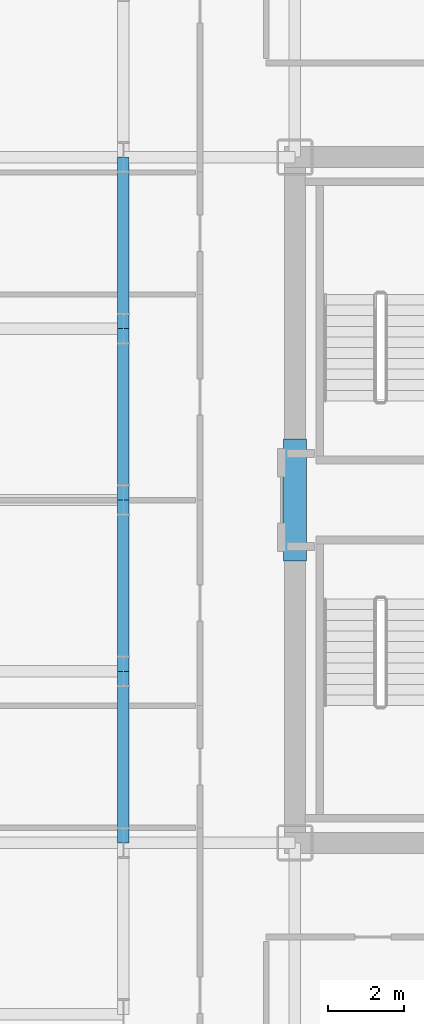
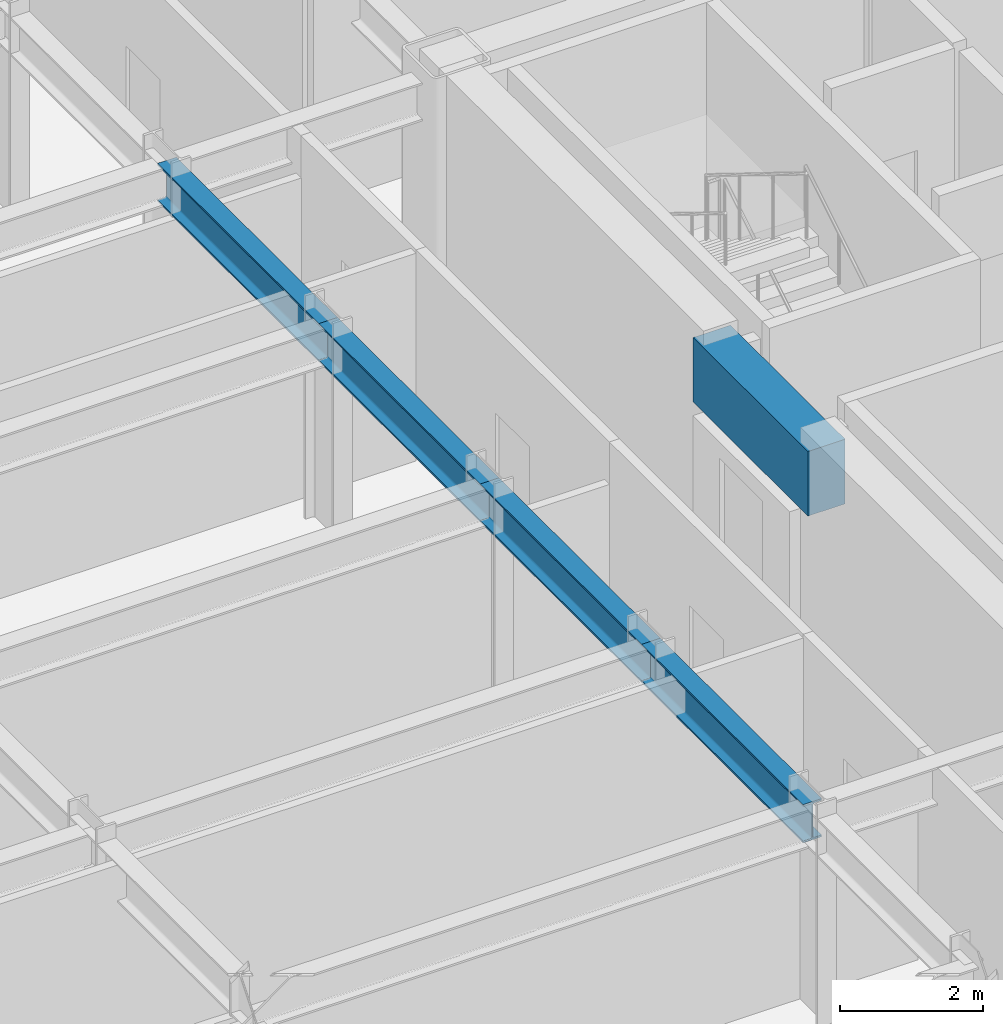
# One storey, part 8 of 27: 5 beams.
"""IFC4 building model written with IfcOpenShell, lengths in metres."""

from ifc_helpers import new_model, si_unit, direction, frame, origin, origin_2d, place, context, subcontext, project, spatial, rectangle, i_section, extrude, source, transform, mapped, material, material_profile, profile_set, type_object, element, save


model = new_model("IFC4")

# Units and contexts
model_context = context("Model", 3, precision=1e-05, world=origin(), true_north=direction((0.0, 1.0)))
body_context = subcontext(model_context, "Body", "Model", "MODEL_VIEW")
ifc_project = project(units=[si_unit("LENGTHUNIT", "METRE"), si_unit("AREAUNIT", "SQUARE_METRE"), si_unit("VOLUMEUNIT", "CUBIC_METRE"), si_unit("PLANEANGLEUNIT", "RADIAN"), si_unit("MASSUNIT", "GRAM", prefix="KILO")], contexts=[model_context])

# Site, building, storey
site_placement = place(None, origin())
site = spatial("IfcSite", under=ifc_project, at=site_placement, CompositionType="ELEMENT")
building_placement = place(site_placement, origin())
building = spatial("IfcBuilding", under=site, at=building_placement, Name="Nefas-Gora Pilgrimage Tower", CompositionType="ELEMENT")
storey_placement = place(building_placement, frame((0.0, 0.0, 183.0)))
storey = spatial("IfcBuildingStorey", under=building, at=storey_placement, Name="L45", CompositionType="ELEMENT", Elevation=183.0)

# Beams
ifc_material_1 = material(Name="Concrete C60/75", Category="concrete")
ifc_material_profile_1 = material_profile(ifc_material_1, rectangle(XDim=0.60009765625, YDim=1.10009765625, at=origin_2d()), Name="RC 600x1100")
ifc_profile_set_1 = profile_set([ifc_material_profile_1], Name="Concrete C60/75")
beam_type_1 = type_object("IfcBeamType", Name="BM-LIN-RC1100", PredefinedType="LINTEL", material=ifc_profile_set_1)
shared_shape_1 = source(origin(), body_context, "Body", "SweptSolid", [
    extrude(rectangle(XDim=0.60009765625, YDim=1.10009765625, at=origin_2d()), origin(), (0.0, 0.0, 1.0), 3.2001953125),
])
beam_placement = place(storey_placement, frame((-11.25, -1.60009765625, 3.0), z_axis=(0.0, 1.0, 0.0), x_axis=(-1.0, 0.0, 0.0)))
element("IfcBeam", 1, at=beam_placement, inside=storey, type_object=beam_type_1, Name="L45 Core Coupling Lintel Beam W", PredefinedType="LINTEL", context=body_context, shape_type="MappedRepresentation", body=[
    mapped(shared_shape_1, transform((0.0, 0.0, 0.0), x_axis=(1.0, 0.0, 0.0), y_axis=(0.0, 1.0, 0.0), z_axis=(0.0, 0.0, 1.0), scale=1.0)),
])
ifc_material_2 = material(Name="Steel S355", Category="steel")
ifc_material_profile_2 = material_profile(ifc_material_2, i_section(OverallWidth=0.300048828125, OverallDepth=0.64990234375, WebThickness=0.01611328125, FlangeThickness=0.031005859375, FilletRadius=0.027099609375, at=origin_2d()), Name="HEB 650")
ifc_profile_set_2 = profile_set([ifc_material_profile_2], Name="Steel S355")
beam_type_2 = type_object("IfcBeamType", Name="BM-GIR-HEB650", PredefinedType="BEAM", material=ifc_profile_set_2)
shared_shape_2 = source(origin(), body_context, "Body", "SweptSolid", [
    extrude(i_section(OverallWidth=0.300048828125, OverallDepth=0.64990234375, WebThickness=0.01611328125, FlangeThickness=0.031005859375, FilletRadius=0.027099609375, at=origin_2d()), origin(), (0.0, 0.0, 1.0), 4.5),
])
for number, where, z_axis, x_axis, name in (
    (2, (-15.75, -9.0, 3.22509765625), (0.0, 1.0, 0.0), (-1.0, 0.0, 0.0), "L45 G-03 beam"),
    (3, (-15.75, -4.5, 3.22509765625), (0.0, 1.0, 0.0), (-1.0, 0.0, 0.0), "L45 G-03 beam"),
    (4, (-15.75, 0.0, 3.22509765625), (0.0, 1.0, 0.0), (-1.0, 0.0, 0.0), "L45 G-03 beam"),
    (5, (-15.75, 4.5, 3.22509765625), (0.0, 1.0, 0.0), (-1.0, 0.0, 0.0), "L45 G-03 beam"),
):
    element("IfcBeam", number, at=place(storey_placement, frame(where, z_axis=z_axis, x_axis=x_axis)), inside=storey, type_object=beam_type_2, Name=name, PredefinedType="BEAM", context=body_context, shape_type="MappedRepresentation", body=[
        mapped(shared_shape_2, transform((0.0, 0.0, 0.0), x_axis=(1.0, 0.0, 0.0), y_axis=(0.0, 1.0, 0.0), z_axis=(0.0, 0.0, 1.0), scale=1.0)),
    ])

save(model, "model.ifc")
